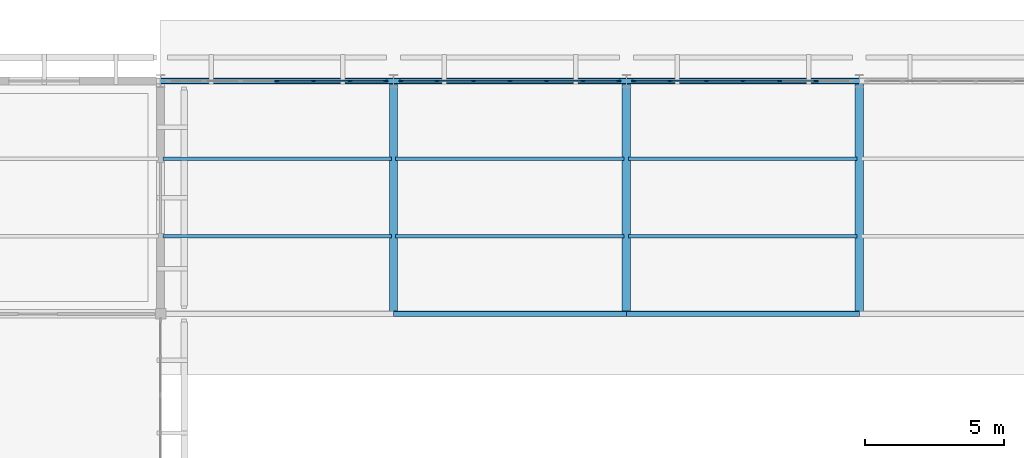
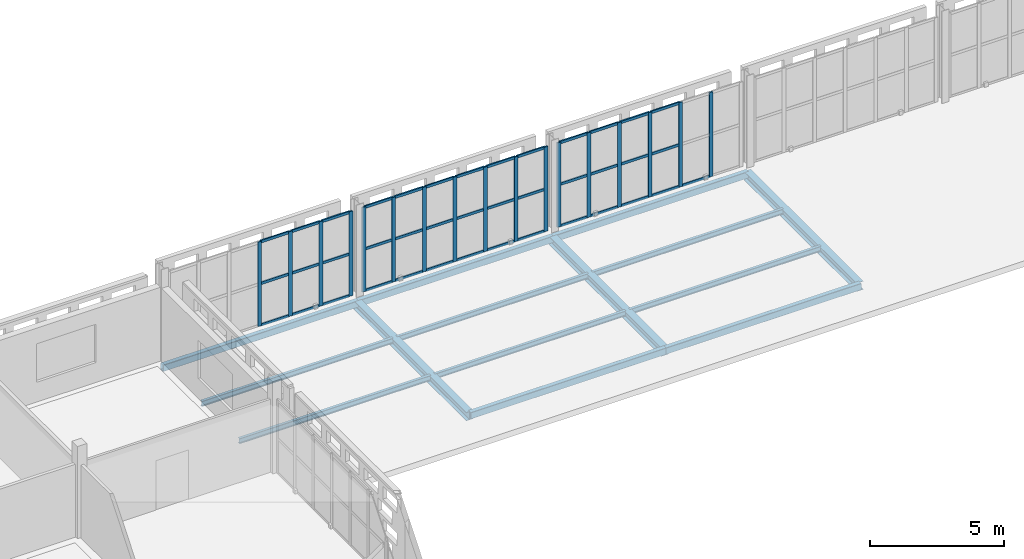
# One storey, part 50 of 166: 57 members, 14 beams, 3 elements without a shape of their own.
"""IFC4 building model written with IfcOpenShell, lengths in metres."""

from ifc_helpers import new_model, si_unit, direction, frame, origin, origin_2d, place, context, subcontext, project, spatial, rectangle, hollow_rectangle, i_section, extrude, material, layer, layer_set, material_profile, profile_set, type_object, element, aggregate, save


model = new_model("IFC4")

# Units and contexts
model_context = context("Model", 3, precision=1e-05, world=origin(), true_north=direction((0.0, 1.0)))
body_context = subcontext(model_context, "Body", "Model", "MODEL_VIEW")
ifc_project = project(units=[si_unit("LENGTHUNIT", "METRE"), si_unit("AREAUNIT", "SQUARE_METRE"), si_unit("VOLUMEUNIT", "CUBIC_METRE"), si_unit("PLANEANGLEUNIT", "RADIAN"), si_unit("MASSUNIT", "GRAM", prefix="KILO")], contexts=[model_context])

# Site, building, storey
site_placement = place(None, origin())
site = spatial("IfcSite", under=ifc_project, at=site_placement, CompositionType="ELEMENT")
building_placement = place(site_placement, origin())
building = spatial("IfcBuilding", under=site, at=building_placement, Name="Varnapada Polytechnic", CompositionType="ELEMENT")
storey_placement = place(building_placement, frame((0.0, 0.0, 9.60009765625)))
storey = spatial("IfcBuildingStorey", under=building, at=storey_placement, Name="L02", CompositionType="ELEMENT", Elevation=9.60009765625)

# Curtain wall, members
ifc_material_1 = material(Name="Double low-E laminated glass", Category="glass")
ifc_layer = layer(ifc_material_1, 0.159912109375)
ifc_layer_set = layer_set([ifc_layer], Name="Double low-E laminated glass")
curtain_wall_type = type_object("IfcCurtainWallType", Name="Curtain Wall CW-02", PredefinedType="NOTDEFINED", material=ifc_layer_set)
curtain_wall_1_placement = place(storey_placement, origin())
curtain_wall_1 = element("IfcCurtainWall", 1, at=curtain_wall_1_placement, inside=storey, type_object=curtain_wall_type, Name="L02 high-bay workshop north curtain wall 9", PredefinedType="NOTDEFINED")
ifc_material_2 = material(Name="Anodised aluminium", Category="aluminium")
ifc_material_profile_1 = material_profile(ifc_material_2, rectangle(XDim=0.06005859375, YDim=0.159912109375, at=origin_2d()), Name="ALU M60x160")
ifc_profile_set_1 = profile_set([ifc_material_profile_1], Name="Anodised aluminium")
member_type_1 = type_object("IfcMemberType", Name="Mullion M-01", PredefinedType="MULLION", material=ifc_profile_set_1)
member_1_placement = place(storey_placement, frame((71.39990234375, 126.0, 0.0), z_axis=(0.0, 0.0, 1.0), x_axis=(0.0, 1.0, 0.0)))
member_1 = element("IfcMember", 2, at=member_1_placement, type_object=member_type_1, Name="CW-02 mullion 4", PredefinedType="MULLION", context=body_context, shape_type="SweptSolid", body=[
    extrude(rectangle(XDim=0.06005859375, YDim=0.159912109375, at=origin_2d()), origin(), (0.0, 0.0, 1.0), 3.849853515625),
])
member_2_placement = place(storey_placement, frame((72.716552734375, 126.0, 0.0), z_axis=(0.0, 0.0, 1.0), x_axis=(0.0, 1.0, 0.0)))
member_2 = element("IfcMember", 3, at=member_2_placement, type_object=member_type_1, Name="CW-02 mullion 5", PredefinedType="MULLION", context=body_context, shape_type="SweptSolid", body=[
    extrude(rectangle(XDim=0.06005859375, YDim=0.159912109375, at=origin_2d()), origin(), (0.0, 0.0, 1.0), 3.849853515625),
])
member_3_placement = place(storey_placement, frame((74.033447265625, 126.0, 0.0), z_axis=(0.0, 0.0, 1.0), x_axis=(0.0, 1.0, 0.0)))
member_3 = element("IfcMember", 4, at=member_3_placement, type_object=member_type_1, Name="CW-02 mullion 6", PredefinedType="MULLION", context=body_context, shape_type="SweptSolid", body=[
    extrude(rectangle(XDim=0.06005859375, YDim=0.159912109375, at=origin_2d()), origin(), (0.0, 0.0, 1.0), 3.849853515625),
])
member_4_placement = place(storey_placement, frame((75.320068359375, 126.0, 0.0), z_axis=(0.0, 0.0, 1.0), x_axis=(0.0, 1.0, 0.0)))
member_4 = element("IfcMember", 5, at=member_4_placement, type_object=member_type_1, Name="CW-02 mullion 7", PredefinedType="MULLION", context=body_context, shape_type="SweptSolid", body=[
    extrude(rectangle(XDim=0.06005859375, YDim=0.159912109375, at=origin_2d()), origin(), (0.0, 0.0, 1.0), 3.849853515625),
])

curtain_wall_2_placement = place(storey_placement, origin())
curtain_wall_2 = element("IfcCurtainWall", 6, at=curtain_wall_2_placement, inside=storey, type_object=curtain_wall_type, Name="L02 high-bay workshop north curtain wall 10", PredefinedType="NOTDEFINED")
member_5_placement = place(storey_placement, frame((75.8798828125, 126.0, 0.0), z_axis=(0.0, 0.0, 1.0), x_axis=(0.0, 1.0, 0.0)))
member_5 = element("IfcMember", 7, at=member_5_placement, type_object=member_type_1, Name="CW-02 mullion 1", PredefinedType="MULLION", context=body_context, shape_type="SweptSolid", body=[
    extrude(rectangle(XDim=0.06005859375, YDim=0.159912109375, at=origin_2d()), origin(), (0.0, 0.0, 1.0), 3.849853515625),
])
member_6_placement = place(storey_placement, frame((77.166748046875, 126.0, 0.0), z_axis=(0.0, 0.0, 1.0), x_axis=(0.0, 1.0, 0.0)))
member_6 = element("IfcMember", 8, at=member_6_placement, type_object=member_type_1, Name="CW-02 mullion 2", PredefinedType="MULLION", context=body_context, shape_type="SweptSolid", body=[
    extrude(rectangle(XDim=0.06005859375, YDim=0.159912109375, at=origin_2d()), origin(), (0.0, 0.0, 1.0), 3.849853515625),
])
member_7_placement = place(storey_placement, frame((78.4833984375, 126.0, 0.0), z_axis=(0.0, 0.0, 1.0), x_axis=(0.0, 1.0, 0.0)))
member_7 = element("IfcMember", 9, at=member_7_placement, type_object=member_type_1, Name="CW-02 mullion 3", PredefinedType="MULLION", context=body_context, shape_type="SweptSolid", body=[
    extrude(rectangle(XDim=0.06005859375, YDim=0.159912109375, at=origin_2d()), origin(), (0.0, 0.0, 1.0), 3.849853515625),
])
member_8_placement = place(storey_placement, frame((79.800048828125, 126.0, 0.0), z_axis=(0.0, 0.0, 1.0), x_axis=(0.0, 1.0, 0.0)))
member_8 = element("IfcMember", 10, at=member_8_placement, type_object=member_type_1, Name="CW-02 mullion 4", PredefinedType="MULLION", context=body_context, shape_type="SweptSolid", body=[
    extrude(rectangle(XDim=0.06005859375, YDim=0.159912109375, at=origin_2d()), origin(), (0.0, 0.0, 1.0), 3.849853515625),
])
member_9_placement = place(storey_placement, frame((81.11669921875, 126.0, 0.0), z_axis=(0.0, 0.0, 1.0), x_axis=(0.0, 1.0, 0.0)))
member_9 = element("IfcMember", 11, at=member_9_placement, type_object=member_type_1, Name="CW-02 mullion 5", PredefinedType="MULLION", context=body_context, shape_type="SweptSolid", body=[
    extrude(rectangle(XDim=0.06005859375, YDim=0.159912109375, at=origin_2d()), origin(), (0.0, 0.0, 1.0), 3.849853515625),
])
member_10_placement = place(storey_placement, frame((82.433349609375, 126.0, 0.0), z_axis=(0.0, 0.0, 1.0), x_axis=(0.0, 1.0, 0.0)))
member_10 = element("IfcMember", 12, at=member_10_placement, type_object=member_type_1, Name="CW-02 mullion 6", PredefinedType="MULLION", context=body_context, shape_type="SweptSolid", body=[
    extrude(rectangle(XDim=0.06005859375, YDim=0.159912109375, at=origin_2d()), origin(), (0.0, 0.0, 1.0), 3.849853515625),
])
member_11_placement = place(storey_placement, frame((83.719970703125, 126.0, 0.0), z_axis=(0.0, 0.0, 1.0), x_axis=(0.0, 1.0, 0.0)))
member_11 = element("IfcMember", 13, at=member_11_placement, type_object=member_type_1, Name="CW-02 mullion 7", PredefinedType="MULLION", context=body_context, shape_type="SweptSolid", body=[
    extrude(rectangle(XDim=0.06005859375, YDim=0.159912109375, at=origin_2d()), origin(), (0.0, 0.0, 1.0), 3.849853515625),
])

curtain_wall_3_placement = place(storey_placement, origin())
curtain_wall_3 = element("IfcCurtainWall", 14, at=curtain_wall_3_placement, inside=storey, type_object=curtain_wall_type, Name="L02 high-bay workshop north curtain wall 11", PredefinedType="NOTDEFINED")
member_12_placement = place(storey_placement, frame((84.280029296875, 126.0, 0.0), z_axis=(0.0, 0.0, 1.0), x_axis=(0.0, 1.0, 0.0)))
member_12 = element("IfcMember", 15, at=member_12_placement, type_object=member_type_1, Name="CW-02 mullion 1", PredefinedType="MULLION", context=body_context, shape_type="SweptSolid", body=[
    extrude(rectangle(XDim=0.06005859375, YDim=0.159912109375, at=origin_2d()), origin(), (0.0, 0.0, 1.0), 3.849853515625),
])
member_13_placement = place(storey_placement, frame((85.566650390625, 126.0, 0.0), z_axis=(0.0, 0.0, 1.0), x_axis=(0.0, 1.0, 0.0)))
member_13 = element("IfcMember", 16, at=member_13_placement, type_object=member_type_1, Name="CW-02 mullion 2", PredefinedType="MULLION", context=body_context, shape_type="SweptSolid", body=[
    extrude(rectangle(XDim=0.06005859375, YDim=0.159912109375, at=origin_2d()), origin(), (0.0, 0.0, 1.0), 3.849853515625),
])
member_14_placement = place(storey_placement, frame((86.88330078125, 126.0, 0.0), z_axis=(0.0, 0.0, 1.0), x_axis=(0.0, 1.0, 0.0)))
member_14 = element("IfcMember", 17, at=member_14_placement, type_object=member_type_1, Name="CW-02 mullion 3", PredefinedType="MULLION", context=body_context, shape_type="SweptSolid", body=[
    extrude(rectangle(XDim=0.06005859375, YDim=0.159912109375, at=origin_2d()), origin(), (0.0, 0.0, 1.0), 3.849853515625),
])
member_15_placement = place(storey_placement, frame((88.199951171875, 126.0, 0.0), z_axis=(0.0, 0.0, 1.0), x_axis=(0.0, 1.0, 0.0)))
member_15 = element("IfcMember", 18, at=member_15_placement, type_object=member_type_1, Name="CW-02 mullion 4", PredefinedType="MULLION", context=body_context, shape_type="SweptSolid", body=[
    extrude(rectangle(XDim=0.06005859375, YDim=0.159912109375, at=origin_2d()), origin(), (0.0, 0.0, 1.0), 3.849853515625),
])
member_16_placement = place(storey_placement, frame((89.5166015625, 126.0, 0.0), z_axis=(0.0, 0.0, 1.0), x_axis=(0.0, 1.0, 0.0)))
member_16 = element("IfcMember", 19, at=member_16_placement, type_object=member_type_1, Name="CW-02 mullion 5", PredefinedType="MULLION", context=body_context, shape_type="SweptSolid", body=[
    extrude(rectangle(XDim=0.06005859375, YDim=0.159912109375, at=origin_2d()), origin(), (0.0, 0.0, 1.0), 3.849853515625),
])
member_17_placement = place(storey_placement, frame((90.833251953125, 126.0, 0.0), z_axis=(0.0, 0.0, 1.0), x_axis=(0.0, 1.0, 0.0)))
member_17 = element("IfcMember", 20, at=member_17_placement, type_object=member_type_1, Name="CW-02 mullion 6", PredefinedType="MULLION", context=body_context, shape_type="SweptSolid", body=[
    extrude(rectangle(XDim=0.06005859375, YDim=0.159912109375, at=origin_2d()), origin(), (0.0, 0.0, 1.0), 3.849853515625),
])

# Beams
ifc_material_3 = material(Name="Steel S355", Category="steel")
ifc_material_profile_2 = material_profile(ifc_material_3, i_section(OverallWidth=0.300048828125, OverallDepth=0.389892578125, WebThickness=0.010986328125, FlangeThickness=0.01904296875, FilletRadius=0.027099609375, at=origin_2d()), Name="HEA 400")
ifc_profile_set_2 = profile_set([ifc_material_profile_2], Name="Steel S355")
beam_type_1 = type_object("IfcBeamType", Name="Steel roof primary girder SG-01 (HEA 400)", PredefinedType="BEAM", material=ifc_profile_set_2)
for number, where, z_axis, x_axis, name in (
    (21, (75.60009765625, 117.60009765625, -0.465087890625), (0.0, 1.0, 0.0), (-1.0, 0.0, 0.0), "L02 beam Y 15-16 at X10"),
    (22, (84.0, 117.60009765625, -0.465087890625), (0.0, 1.0, 0.0), (-1.0, 0.0, 0.0), "L02 beam Y 15-16 at X11"),
    (23, (92.39990234375, 117.60009765625, -0.465087890625), (0.0, 1.0, 0.0), (-1.0, 0.0, 0.0), "L02 beam Y 15-16 at X12"),
):
    element("IfcBeam", number, at=place(storey_placement, frame(where, z_axis=z_axis, x_axis=x_axis)), inside=storey, type_object=beam_type_1, Name=name, PredefinedType="BEAM", context=body_context, shape_type="SweptSolid", body=[
        extrude(i_section(OverallWidth=0.300048828125, OverallDepth=0.389892578125, WebThickness=0.010986328125, FlangeThickness=0.01904296875, FilletRadius=0.027099609375, at=origin_2d()), origin(), (0.0, 0.0, 1.0), 8.39990234375),
    ])

# Member
ifc_material_profile_3 = material_profile(ifc_material_2, rectangle(XDim=0.06005859375, YDim=0.1201171875, at=origin_2d()), Name="ALU T60x120")
ifc_profile_set_3 = profile_set([ifc_material_profile_3], Name="Anodised aluminium")
member_type_2 = type_object("IfcMemberType", Name="Transom T-01", PredefinedType="USERDEFINED", material=ifc_profile_set_3)
member_18_placement = place(storey_placement, frame((71.429931640625, 126.0, 0.02978515625), z_axis=(1.0, 0.0, 0.0), x_axis=(0.0, 1.0, 0.0)))
member_18 = element("IfcMember", 24, at=member_18_placement, type_object=member_type_2, Name="CW-02 transom 4.1", ObjectType="TRANSOM", PredefinedType="USERDEFINED", context=body_context, shape_type="SweptSolid", body=[
    extrude(rectangle(XDim=0.06005859375, YDim=0.1201171875, at=origin_2d()), origin(), (0.0, 0.0, 1.0), 1.2568359375),
])

member_19_placement = place(storey_placement, frame((71.429931640625, 126.0, 1.9248046875), z_axis=(1.0, 0.0, 0.0), x_axis=(0.0, 1.0, 0.0)))
member_19 = element("IfcMember", 25, at=member_19_placement, type_object=member_type_2, Name="CW-02 transom 4.2", ObjectType="TRANSOM", PredefinedType="USERDEFINED", context=body_context, shape_type="SweptSolid", body=[
    extrude(rectangle(XDim=0.06005859375, YDim=0.1201171875, at=origin_2d()), origin(), (0.0, 0.0, 1.0), 1.2568359375),
])

member_20_placement = place(storey_placement, frame((71.429931640625, 126.0, 3.81982421875), z_axis=(1.0, 0.0, 0.0), x_axis=(0.0, 1.0, 0.0)))
member_20 = element("IfcMember", 26, at=member_20_placement, type_object=member_type_2, Name="CW-02 transom 4.3", ObjectType="TRANSOM", PredefinedType="USERDEFINED", context=body_context, shape_type="SweptSolid", body=[
    extrude(rectangle(XDim=0.06005859375, YDim=0.1201171875, at=origin_2d()), origin(), (0.0, 0.0, 1.0), 1.2568359375),
])

member_21_placement = place(storey_placement, frame((72.74658203125, 126.0, 0.02978515625), z_axis=(1.0, 0.0, 0.0), x_axis=(0.0, 1.0, 0.0)))
member_21 = element("IfcMember", 27, at=member_21_placement, type_object=member_type_2, Name="CW-02 transom 5.1", ObjectType="TRANSOM", PredefinedType="USERDEFINED", context=body_context, shape_type="SweptSolid", body=[
    extrude(rectangle(XDim=0.06005859375, YDim=0.1201171875, at=origin_2d()), origin(), (0.0, 0.0, 1.0), 1.2568359375),
])

member_22_placement = place(storey_placement, frame((72.74658203125, 126.0, 1.9248046875), z_axis=(1.0, 0.0, 0.0), x_axis=(0.0, 1.0, 0.0)))
member_22 = element("IfcMember", 28, at=member_22_placement, type_object=member_type_2, Name="CW-02 transom 5.2", ObjectType="TRANSOM", PredefinedType="USERDEFINED", context=body_context, shape_type="SweptSolid", body=[
    extrude(rectangle(XDim=0.06005859375, YDim=0.1201171875, at=origin_2d()), origin(), (0.0, 0.0, 1.0), 1.2568359375),
])

member_23_placement = place(storey_placement, frame((72.74658203125, 126.0, 3.81982421875), z_axis=(1.0, 0.0, 0.0), x_axis=(0.0, 1.0, 0.0)))
member_23 = element("IfcMember", 29, at=member_23_placement, type_object=member_type_2, Name="CW-02 transom 5.3", ObjectType="TRANSOM", PredefinedType="USERDEFINED", context=body_context, shape_type="SweptSolid", body=[
    extrude(rectangle(XDim=0.06005859375, YDim=0.1201171875, at=origin_2d()), origin(), (0.0, 0.0, 1.0), 1.2568359375),
])

member_24_placement = place(storey_placement, frame((74.063232421875, 126.0, 0.02978515625), z_axis=(1.0, 0.0, 0.0), x_axis=(0.0, 1.0, 0.0)))
member_24 = element("IfcMember", 30, at=member_24_placement, type_object=member_type_2, Name="CW-02 transom 6.1", ObjectType="TRANSOM", PredefinedType="USERDEFINED", context=body_context, shape_type="SweptSolid", body=[
    extrude(rectangle(XDim=0.06005859375, YDim=0.1201171875, at=origin_2d()), origin(), (0.0, 0.0, 1.0), 1.226806640625),
])

member_25_placement = place(storey_placement, frame((74.063232421875, 126.0, 1.9248046875), z_axis=(1.0, 0.0, 0.0), x_axis=(0.0, 1.0, 0.0)))
member_25 = element("IfcMember", 31, at=member_25_placement, type_object=member_type_2, Name="CW-02 transom 6.2", ObjectType="TRANSOM", PredefinedType="USERDEFINED", context=body_context, shape_type="SweptSolid", body=[
    extrude(rectangle(XDim=0.06005859375, YDim=0.1201171875, at=origin_2d()), origin(), (0.0, 0.0, 1.0), 1.226806640625),
])

member_26_placement = place(storey_placement, frame((74.063232421875, 126.0, 3.81982421875), z_axis=(1.0, 0.0, 0.0), x_axis=(0.0, 1.0, 0.0)))
member_26 = element("IfcMember", 32, at=member_26_placement, type_object=member_type_2, Name="CW-02 transom 6.3", ObjectType="TRANSOM", PredefinedType="USERDEFINED", context=body_context, shape_type="SweptSolid", body=[
    extrude(rectangle(XDim=0.06005859375, YDim=0.1201171875, at=origin_2d()), origin(), (0.0, 0.0, 1.0), 1.226806640625),
])

aggregate(curtain_wall_1, [member_1, member_2, member_3, member_4, member_18, member_19, member_20, member_21, member_22, member_23, member_24, member_25, member_26])

member_27_placement = place(storey_placement, frame((75.909912109375, 126.0, 0.02978515625), z_axis=(1.0, 0.0, 0.0), x_axis=(0.0, 1.0, 0.0)))
member_27 = element("IfcMember", 33, at=member_27_placement, type_object=member_type_2, Name="CW-02 transom 1.1", ObjectType="TRANSOM", PredefinedType="USERDEFINED", context=body_context, shape_type="SweptSolid", body=[
    extrude(rectangle(XDim=0.06005859375, YDim=0.1201171875, at=origin_2d()), origin(), (0.0, 0.0, 1.0), 1.226806640625),
])

member_28_placement = place(storey_placement, frame((75.909912109375, 126.0, 1.9248046875), z_axis=(1.0, 0.0, 0.0), x_axis=(0.0, 1.0, 0.0)))
member_28 = element("IfcMember", 34, at=member_28_placement, type_object=member_type_2, Name="CW-02 transom 1.2", ObjectType="TRANSOM", PredefinedType="USERDEFINED", context=body_context, shape_type="SweptSolid", body=[
    extrude(rectangle(XDim=0.06005859375, YDim=0.1201171875, at=origin_2d()), origin(), (0.0, 0.0, 1.0), 1.226806640625),
])

member_29_placement = place(storey_placement, frame((75.909912109375, 126.0, 3.81982421875), z_axis=(1.0, 0.0, 0.0), x_axis=(0.0, 1.0, 0.0)))
member_29 = element("IfcMember", 35, at=member_29_placement, type_object=member_type_2, Name="CW-02 transom 1.3", ObjectType="TRANSOM", PredefinedType="USERDEFINED", context=body_context, shape_type="SweptSolid", body=[
    extrude(rectangle(XDim=0.06005859375, YDim=0.1201171875, at=origin_2d()), origin(), (0.0, 0.0, 1.0), 1.226806640625),
])

member_30_placement = place(storey_placement, frame((77.19677734375, 126.0, 0.02978515625), z_axis=(1.0, 0.0, 0.0), x_axis=(0.0, 1.0, 0.0)))
member_30 = element("IfcMember", 36, at=member_30_placement, type_object=member_type_2, Name="CW-02 transom 2.1", ObjectType="TRANSOM", PredefinedType="USERDEFINED", context=body_context, shape_type="SweptSolid", body=[
    extrude(rectangle(XDim=0.06005859375, YDim=0.1201171875, at=origin_2d()), origin(), (0.0, 0.0, 1.0), 1.256591796875),
])

member_31_placement = place(storey_placement, frame((77.19677734375, 126.0, 1.9248046875), z_axis=(1.0, 0.0, 0.0), x_axis=(0.0, 1.0, 0.0)))
member_31 = element("IfcMember", 37, at=member_31_placement, type_object=member_type_2, Name="CW-02 transom 2.2", ObjectType="TRANSOM", PredefinedType="USERDEFINED", context=body_context, shape_type="SweptSolid", body=[
    extrude(rectangle(XDim=0.06005859375, YDim=0.1201171875, at=origin_2d()), origin(), (0.0, 0.0, 1.0), 1.256591796875),
])

member_32_placement = place(storey_placement, frame((77.19677734375, 126.0, 3.81982421875), z_axis=(1.0, 0.0, 0.0), x_axis=(0.0, 1.0, 0.0)))
member_32 = element("IfcMember", 38, at=member_32_placement, type_object=member_type_2, Name="CW-02 transom 2.3", ObjectType="TRANSOM", PredefinedType="USERDEFINED", context=body_context, shape_type="SweptSolid", body=[
    extrude(rectangle(XDim=0.06005859375, YDim=0.1201171875, at=origin_2d()), origin(), (0.0, 0.0, 1.0), 1.256591796875),
])

member_33_placement = place(storey_placement, frame((78.513427734375, 126.0, 0.02978515625), z_axis=(1.0, 0.0, 0.0), x_axis=(0.0, 1.0, 0.0)))
member_33 = element("IfcMember", 39, at=member_33_placement, type_object=member_type_2, Name="CW-02 transom 3.1", ObjectType="TRANSOM", PredefinedType="USERDEFINED", context=body_context, shape_type="SweptSolid", body=[
    extrude(rectangle(XDim=0.06005859375, YDim=0.1201171875, at=origin_2d()), origin(), (0.0, 0.0, 1.0), 1.256591796875),
])

member_34_placement = place(storey_placement, frame((78.513427734375, 126.0, 1.9248046875), z_axis=(1.0, 0.0, 0.0), x_axis=(0.0, 1.0, 0.0)))
member_34 = element("IfcMember", 40, at=member_34_placement, type_object=member_type_2, Name="CW-02 transom 3.2", ObjectType="TRANSOM", PredefinedType="USERDEFINED", context=body_context, shape_type="SweptSolid", body=[
    extrude(rectangle(XDim=0.06005859375, YDim=0.1201171875, at=origin_2d()), origin(), (0.0, 0.0, 1.0), 1.256591796875),
])

member_35_placement = place(storey_placement, frame((78.513427734375, 126.0, 3.81982421875), z_axis=(1.0, 0.0, 0.0), x_axis=(0.0, 1.0, 0.0)))
member_35 = element("IfcMember", 41, at=member_35_placement, type_object=member_type_2, Name="CW-02 transom 3.3", ObjectType="TRANSOM", PredefinedType="USERDEFINED", context=body_context, shape_type="SweptSolid", body=[
    extrude(rectangle(XDim=0.06005859375, YDim=0.1201171875, at=origin_2d()), origin(), (0.0, 0.0, 1.0), 1.256591796875),
])

member_36_placement = place(storey_placement, frame((79.830078125, 126.0, 0.02978515625), z_axis=(1.0, 0.0, 0.0), x_axis=(0.0, 1.0, 0.0)))
member_36 = element("IfcMember", 42, at=member_36_placement, type_object=member_type_2, Name="CW-02 transom 4.1", ObjectType="TRANSOM", PredefinedType="USERDEFINED", context=body_context, shape_type="SweptSolid", body=[
    extrude(rectangle(XDim=0.06005859375, YDim=0.1201171875, at=origin_2d()), origin(), (0.0, 0.0, 1.0), 1.256591796875),
])

member_37_placement = place(storey_placement, frame((79.830078125, 126.0, 1.9248046875), z_axis=(1.0, 0.0, 0.0), x_axis=(0.0, 1.0, 0.0)))
member_37 = element("IfcMember", 43, at=member_37_placement, type_object=member_type_2, Name="CW-02 transom 4.2", ObjectType="TRANSOM", PredefinedType="USERDEFINED", context=body_context, shape_type="SweptSolid", body=[
    extrude(rectangle(XDim=0.06005859375, YDim=0.1201171875, at=origin_2d()), origin(), (0.0, 0.0, 1.0), 1.256591796875),
])

member_38_placement = place(storey_placement, frame((79.830078125, 126.0, 3.81982421875), z_axis=(1.0, 0.0, 0.0), x_axis=(0.0, 1.0, 0.0)))
member_38 = element("IfcMember", 44, at=member_38_placement, type_object=member_type_2, Name="CW-02 transom 4.3", ObjectType="TRANSOM", PredefinedType="USERDEFINED", context=body_context, shape_type="SweptSolid", body=[
    extrude(rectangle(XDim=0.06005859375, YDim=0.1201171875, at=origin_2d()), origin(), (0.0, 0.0, 1.0), 1.256591796875),
])

member_39_placement = place(storey_placement, frame((81.146728515625, 126.0, 0.02978515625), z_axis=(1.0, 0.0, 0.0), x_axis=(0.0, 1.0, 0.0)))
member_39 = element("IfcMember", 45, at=member_39_placement, type_object=member_type_2, Name="CW-02 transom 5.1", ObjectType="TRANSOM", PredefinedType="USERDEFINED", context=body_context, shape_type="SweptSolid", body=[
    extrude(rectangle(XDim=0.06005859375, YDim=0.1201171875, at=origin_2d()), origin(), (0.0, 0.0, 1.0), 1.256591796875),
])

member_40_placement = place(storey_placement, frame((81.146728515625, 126.0, 1.9248046875), z_axis=(1.0, 0.0, 0.0), x_axis=(0.0, 1.0, 0.0)))
member_40 = element("IfcMember", 46, at=member_40_placement, type_object=member_type_2, Name="CW-02 transom 5.2", ObjectType="TRANSOM", PredefinedType="USERDEFINED", context=body_context, shape_type="SweptSolid", body=[
    extrude(rectangle(XDim=0.06005859375, YDim=0.1201171875, at=origin_2d()), origin(), (0.0, 0.0, 1.0), 1.256591796875),
])

member_41_placement = place(storey_placement, frame((81.146728515625, 126.0, 3.81982421875), z_axis=(1.0, 0.0, 0.0), x_axis=(0.0, 1.0, 0.0)))
member_41 = element("IfcMember", 47, at=member_41_placement, type_object=member_type_2, Name="CW-02 transom 5.3", ObjectType="TRANSOM", PredefinedType="USERDEFINED", context=body_context, shape_type="SweptSolid", body=[
    extrude(rectangle(XDim=0.06005859375, YDim=0.1201171875, at=origin_2d()), origin(), (0.0, 0.0, 1.0), 1.256591796875),
])

member_42_placement = place(storey_placement, frame((82.46337890625, 126.0, 0.02978515625), z_axis=(1.0, 0.0, 0.0), x_axis=(0.0, 1.0, 0.0)))
member_42 = element("IfcMember", 48, at=member_42_placement, type_object=member_type_2, Name="CW-02 transom 6.1", ObjectType="TRANSOM", PredefinedType="USERDEFINED", context=body_context, shape_type="SweptSolid", body=[
    extrude(rectangle(XDim=0.06005859375, YDim=0.1201171875, at=origin_2d()), origin(), (0.0, 0.0, 1.0), 1.2265625),
])

member_43_placement = place(storey_placement, frame((82.46337890625, 126.0, 1.9248046875), z_axis=(1.0, 0.0, 0.0), x_axis=(0.0, 1.0, 0.0)))
member_43 = element("IfcMember", 49, at=member_43_placement, type_object=member_type_2, Name="CW-02 transom 6.2", ObjectType="TRANSOM", PredefinedType="USERDEFINED", context=body_context, shape_type="SweptSolid", body=[
    extrude(rectangle(XDim=0.06005859375, YDim=0.1201171875, at=origin_2d()), origin(), (0.0, 0.0, 1.0), 1.2265625),
])

member_44_placement = place(storey_placement, frame((82.46337890625, 126.0, 3.81982421875), z_axis=(1.0, 0.0, 0.0), x_axis=(0.0, 1.0, 0.0)))
member_44 = element("IfcMember", 50, at=member_44_placement, type_object=member_type_2, Name="CW-02 transom 6.3", ObjectType="TRANSOM", PredefinedType="USERDEFINED", context=body_context, shape_type="SweptSolid", body=[
    extrude(rectangle(XDim=0.06005859375, YDim=0.1201171875, at=origin_2d()), origin(), (0.0, 0.0, 1.0), 1.2265625),
])

aggregate(curtain_wall_2, [member_5, member_6, member_7, member_8, member_9, member_10, member_11, member_27, member_28, member_29, member_30, member_31, member_32, member_33, member_34, member_35, member_36, member_37, member_38, member_39, member_40, member_41, member_42, member_43, member_44])

member_45_placement = place(storey_placement, frame((84.31005859375, 126.0, 0.02978515625), z_axis=(1.0, 0.0, 0.0), x_axis=(0.0, 1.0, 0.0)))
member_45 = element("IfcMember", 51, at=member_45_placement, type_object=member_type_2, Name="CW-02 transom 1.1", ObjectType="TRANSOM", PredefinedType="USERDEFINED", context=body_context, shape_type="SweptSolid", body=[
    extrude(rectangle(XDim=0.06005859375, YDim=0.1201171875, at=origin_2d()), origin(), (0.0, 0.0, 1.0), 1.2265625),
])

member_46_placement = place(storey_placement, frame((84.31005859375, 126.0, 1.9248046875), z_axis=(1.0, 0.0, 0.0), x_axis=(0.0, 1.0, 0.0)))
member_46 = element("IfcMember", 52, at=member_46_placement, type_object=member_type_2, Name="CW-02 transom 1.2", ObjectType="TRANSOM", PredefinedType="USERDEFINED", context=body_context, shape_type="SweptSolid", body=[
    extrude(rectangle(XDim=0.06005859375, YDim=0.1201171875, at=origin_2d()), origin(), (0.0, 0.0, 1.0), 1.2265625),
])

member_47_placement = place(storey_placement, frame((84.31005859375, 126.0, 3.81982421875), z_axis=(1.0, 0.0, 0.0), x_axis=(0.0, 1.0, 0.0)))
member_47 = element("IfcMember", 53, at=member_47_placement, type_object=member_type_2, Name="CW-02 transom 1.3", ObjectType="TRANSOM", PredefinedType="USERDEFINED", context=body_context, shape_type="SweptSolid", body=[
    extrude(rectangle(XDim=0.06005859375, YDim=0.1201171875, at=origin_2d()), origin(), (0.0, 0.0, 1.0), 1.2265625),
])

member_48_placement = place(storey_placement, frame((85.5966796875, 126.0, 0.02978515625), z_axis=(1.0, 0.0, 0.0), x_axis=(0.0, 1.0, 0.0)))
member_48 = element("IfcMember", 54, at=member_48_placement, type_object=member_type_2, Name="CW-02 transom 2.1", ObjectType="TRANSOM", PredefinedType="USERDEFINED", context=body_context, shape_type="SweptSolid", body=[
    extrude(rectangle(XDim=0.06005859375, YDim=0.1201171875, at=origin_2d()), origin(), (0.0, 0.0, 1.0), 1.256591796875),
])

member_49_placement = place(storey_placement, frame((85.5966796875, 126.0, 1.9248046875), z_axis=(1.0, 0.0, 0.0), x_axis=(0.0, 1.0, 0.0)))
member_49 = element("IfcMember", 55, at=member_49_placement, type_object=member_type_2, Name="CW-02 transom 2.2", ObjectType="TRANSOM", PredefinedType="USERDEFINED", context=body_context, shape_type="SweptSolid", body=[
    extrude(rectangle(XDim=0.06005859375, YDim=0.1201171875, at=origin_2d()), origin(), (0.0, 0.0, 1.0), 1.256591796875),
])

member_50_placement = place(storey_placement, frame((85.5966796875, 126.0, 3.81982421875), z_axis=(1.0, 0.0, 0.0), x_axis=(0.0, 1.0, 0.0)))
member_50 = element("IfcMember", 56, at=member_50_placement, type_object=member_type_2, Name="CW-02 transom 2.3", ObjectType="TRANSOM", PredefinedType="USERDEFINED", context=body_context, shape_type="SweptSolid", body=[
    extrude(rectangle(XDim=0.06005859375, YDim=0.1201171875, at=origin_2d()), origin(), (0.0, 0.0, 1.0), 1.256591796875),
])

member_51_placement = place(storey_placement, frame((86.913330078125, 126.0, 0.02978515625), z_axis=(1.0, 0.0, 0.0), x_axis=(0.0, 1.0, 0.0)))
member_51 = element("IfcMember", 57, at=member_51_placement, type_object=member_type_2, Name="CW-02 transom 3.1", ObjectType="TRANSOM", PredefinedType="USERDEFINED", context=body_context, shape_type="SweptSolid", body=[
    extrude(rectangle(XDim=0.06005859375, YDim=0.1201171875, at=origin_2d()), origin(), (0.0, 0.0, 1.0), 1.256591796875),
])

member_52_placement = place(storey_placement, frame((86.913330078125, 126.0, 1.9248046875), z_axis=(1.0, 0.0, 0.0), x_axis=(0.0, 1.0, 0.0)))
member_52 = element("IfcMember", 58, at=member_52_placement, type_object=member_type_2, Name="CW-02 transom 3.2", ObjectType="TRANSOM", PredefinedType="USERDEFINED", context=body_context, shape_type="SweptSolid", body=[
    extrude(rectangle(XDim=0.06005859375, YDim=0.1201171875, at=origin_2d()), origin(), (0.0, 0.0, 1.0), 1.256591796875),
])

member_53_placement = place(storey_placement, frame((86.913330078125, 126.0, 3.81982421875), z_axis=(1.0, 0.0, 0.0), x_axis=(0.0, 1.0, 0.0)))
member_53 = element("IfcMember", 59, at=member_53_placement, type_object=member_type_2, Name="CW-02 transom 3.3", ObjectType="TRANSOM", PredefinedType="USERDEFINED", context=body_context, shape_type="SweptSolid", body=[
    extrude(rectangle(XDim=0.06005859375, YDim=0.1201171875, at=origin_2d()), origin(), (0.0, 0.0, 1.0), 1.256591796875),
])

member_54_placement = place(storey_placement, frame((88.22998046875, 126.0, 0.02978515625), z_axis=(1.0, 0.0, 0.0), x_axis=(0.0, 1.0, 0.0)))
member_54 = element("IfcMember", 60, at=member_54_placement, type_object=member_type_2, Name="CW-02 transom 4.1", ObjectType="TRANSOM", PredefinedType="USERDEFINED", context=body_context, shape_type="SweptSolid", body=[
    extrude(rectangle(XDim=0.06005859375, YDim=0.1201171875, at=origin_2d()), origin(), (0.0, 0.0, 1.0), 1.256591796875),
])

member_55_placement = place(storey_placement, frame((88.22998046875, 126.0, 1.9248046875), z_axis=(1.0, 0.0, 0.0), x_axis=(0.0, 1.0, 0.0)))
member_55 = element("IfcMember", 61, at=member_55_placement, type_object=member_type_2, Name="CW-02 transom 4.2", ObjectType="TRANSOM", PredefinedType="USERDEFINED", context=body_context, shape_type="SweptSolid", body=[
    extrude(rectangle(XDim=0.06005859375, YDim=0.1201171875, at=origin_2d()), origin(), (0.0, 0.0, 1.0), 1.256591796875),
])

member_56_placement = place(storey_placement, frame((88.22998046875, 126.0, 3.81982421875), z_axis=(1.0, 0.0, 0.0), x_axis=(0.0, 1.0, 0.0)))
member_56 = element("IfcMember", 62, at=member_56_placement, type_object=member_type_2, Name="CW-02 transom 4.3", ObjectType="TRANSOM", PredefinedType="USERDEFINED", context=body_context, shape_type="SweptSolid", body=[
    extrude(rectangle(XDim=0.06005859375, YDim=0.1201171875, at=origin_2d()), origin(), (0.0, 0.0, 1.0), 1.256591796875),
])

member_57_placement = place(storey_placement, frame((89.546630859375, 126.0, 0.02978515625), z_axis=(1.0, 0.0, 0.0), x_axis=(0.0, 1.0, 0.0)))
member_57 = element("IfcMember", 63, at=member_57_placement, type_object=member_type_2, Name="CW-02 transom 5.1", ObjectType="TRANSOM", PredefinedType="USERDEFINED", context=body_context, shape_type="SweptSolid", body=[
    extrude(rectangle(XDim=0.06005859375, YDim=0.1201171875, at=origin_2d()), origin(), (0.0, 0.0, 1.0), 1.256591796875),
])

aggregate(curtain_wall_3, [member_12, member_13, member_14, member_15, member_16, member_17, member_45, member_46, member_47, member_48, member_49, member_50, member_51, member_52, member_53, member_54, member_55, member_56, member_57])

# Beams
ifc_material_profile_4 = material_profile(ifc_material_3, i_section(OverallWidth=0.1201171875, OverallDepth=0.239990234375, WebThickness=0.006103515625, FlangeThickness=0.009765625, FilletRadius=0.014892578125, at=origin_2d()), Name="IPE 240")
ifc_profile_set_4 = profile_set([ifc_material_profile_4], Name="Steel S355")
beam_type_2 = type_object("IfcBeamType", Name="Workshop gallery composite joist SJ-01 (IPE 240)", PredefinedType="JOIST", material=ifc_profile_set_4)
for number, where, z_axis, x_axis, name in (
    (64, (67.280029296875, 120.39990234375, -0.39013671875), (1.0, 0.0, 0.0), (0.0, 1.0, 0.0), "L02 floor joist 9/15.1"),
    (65, (67.280029296875, 123.199951171875, -0.39013671875), (1.0, 0.0, 0.0), (0.0, 1.0, 0.0), "L02 floor joist 9/15.2"),
    (66, (75.679931640625, 120.39990234375, -0.39013671875), (1.0, 0.0, 0.0), (0.0, 1.0, 0.0), "L02 floor joist 10/15.1"),
    (67, (75.679931640625, 123.199951171875, -0.39013671875), (1.0, 0.0, 0.0), (0.0, 1.0, 0.0), "L02 floor joist 10/15.2"),
    (68, (84.080078125, 120.39990234375, -0.39013671875), (1.0, 0.0, 0.0), (0.0, 1.0, 0.0), "L02 floor joist 11/15.1"),
    (69, (84.080078125, 123.199951171875, -0.39013671875), (1.0, 0.0, 0.0), (0.0, 1.0, 0.0), "L02 floor joist 11/15.2"),
):
    element("IfcBeam", number, at=place(storey_placement, frame(where, z_axis=z_axis, x_axis=x_axis)), inside=storey, type_object=beam_type_2, Name=name, PredefinedType="JOIST", context=body_context, shape_type="SweptSolid", body=[
        extrude(i_section(OverallWidth=0.1201171875, OverallDepth=0.239990234375, WebThickness=0.006103515625, FlangeThickness=0.009765625, FilletRadius=0.014892578125, at=origin_2d()), origin(), (0.0, 0.0, 1.0), 8.239990234375),
    ])
ifc_material_profile_5 = material_profile(ifc_material_3, hollow_rectangle(XDim=0.199951171875, YDim=0.300048828125, WallThickness=0.010009765625, InnerFilletRadius=0.010009765625, OuterFilletRadius=0.02001953125, at=origin_2d()), Name="RHS 300x200x10")
ifc_profile_set_5 = profile_set([ifc_material_profile_5], Name="Steel S355")
beam_type_3 = type_object("IfcBeamType", Name="Workshop steel spandrel tie SP-03 (RHS 300x200x10)", PredefinedType="SPANDREL", material=ifc_profile_set_5)
beam_placement = place(storey_placement, frame((67.199951171875, 126.0, -0.420166015625), z_axis=(1.0, 0.0, 0.0), x_axis=(0.0, 1.0, 0.0)))
element("IfcBeam", 70, at=beam_placement, inside=storey, type_object=beam_type_3, Name="L02 beam X 9-10 at Y16", PredefinedType="SPANDREL", context=body_context, shape_type="SweptSolid", body=[
    extrude(hollow_rectangle(XDim=0.199951171875, YDim=0.300048828125, WallThickness=0.010009765625, InnerFilletRadius=0.010009765625, OuterFilletRadius=0.02001953125, at=origin_2d()), origin(), (0.0, 0.0, 1.0), 8.400146484375),
])
for number, where, z_axis, x_axis, name in (
    (71, (75.60009765625, 117.60009765625, -0.420166015625), (1.0, 0.0, 0.0), (0.0, 1.0, 0.0), "L02 beam X 10-11 at Y15"),
    (72, (75.60009765625, 126.0, -0.420166015625), (1.0, 0.0, 0.0), (0.0, 1.0, 0.0), "L02 beam X 10-11 at Y16"),
    (73, (84.0, 117.60009765625, -0.420166015625), (1.0, 0.0, 0.0), (0.0, 1.0, 0.0), "L02 beam X 11-12 at Y15"),
    (74, (84.0, 126.0, -0.420166015625), (1.0, 0.0, 0.0), (0.0, 1.0, 0.0), "L02 beam X 11-12 at Y16"),
):
    element("IfcBeam", number, at=place(storey_placement, frame(where, z_axis=z_axis, x_axis=x_axis)), inside=storey, type_object=beam_type_3, Name=name, PredefinedType="SPANDREL", context=body_context, shape_type="SweptSolid", body=[
        extrude(hollow_rectangle(XDim=0.199951171875, YDim=0.300048828125, WallThickness=0.010009765625, InnerFilletRadius=0.010009765625, OuterFilletRadius=0.02001953125, at=origin_2d()), origin(), (0.0, 0.0, 1.0), 8.39990234375),
    ])

save(model, "model.ifc")
